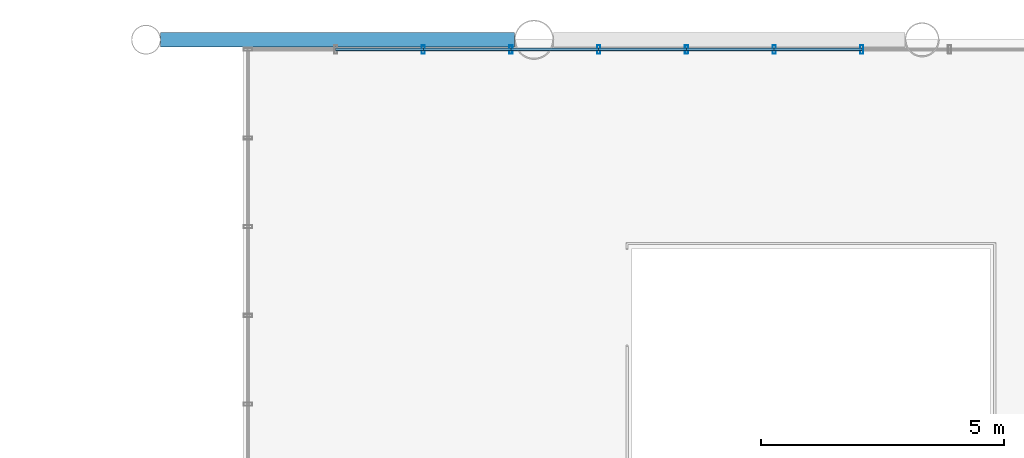
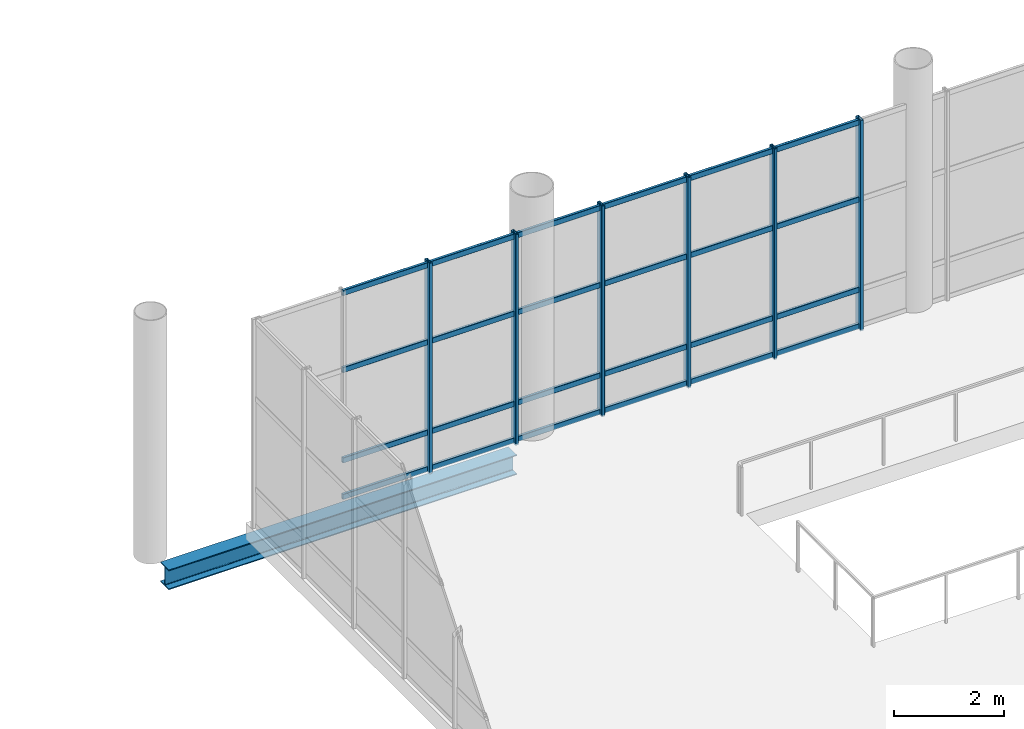
# One storey, part 114 of 176: 30 members, 1 beam, 1 element without a shape of its own.
"""IFC4 building model written with IfcOpenShell, lengths in metres."""

from ifc_helpers import new_model, si_unit, direction, frame, origin, origin_2d, place, context, subcontext, project, spatial, hollow_rectangle, i_section, extrude, material, layer, layer_set, material_profile, profile_set, type_object, element, aggregate, save


model = new_model("IFC4")

# Units and contexts
model_context = context("Model", 3, precision=1e-05, world=origin(), true_north=direction((0.0, 1.0)))
body_context = subcontext(model_context, "Body", "Model", "MODEL_VIEW")
ifc_project = project(units=[si_unit("LENGTHUNIT", "METRE"), si_unit("AREAUNIT", "SQUARE_METRE"), si_unit("VOLUMEUNIT", "CUBIC_METRE"), si_unit("PLANEANGLEUNIT", "RADIAN"), si_unit("MASSUNIT", "GRAM", prefix="KILO")], contexts=[model_context])

# Site, building, storey
site_placement = place(None, origin())
site = spatial("IfcSite", under=ifc_project, at=site_placement, CompositionType="ELEMENT")
building_placement = place(site_placement, origin())
building = spatial("IfcBuilding", under=site, at=building_placement, Name="Khorjan Park Terminus", CompositionType="ELEMENT")
storey_placement = place(building_placement, frame((0.0, 0.0, 6.0)))
storey = spatial("IfcBuildingStorey", under=building, at=storey_placement, Name="L01", CompositionType="ELEMENT", Elevation=6.0)

# Beam
ifc_material_1 = material(Name="Steel S355", Category="steel")
ifc_material_profile_1 = material_profile(ifc_material_1, i_section(OverallWidth=0.3, OverallDepth=0.44, WebThickness=0.0115, FlangeThickness=0.021, FilletRadius=0.027, at=origin_2d()), Name="HEA 450")
ifc_profile_set_1 = profile_set([ifc_material_profile_1], Name="Steel S355")
beam_type = type_object("IfcBeamType", Name="BM-HEA450", PredefinedType="BEAM", material=ifc_profile_set_1)
beam_placement = place(storey_placement, frame((96.3, 154.0, -0.58), z_axis=(1.0, 0.0, 0.0), x_axis=(0.0, 1.0, 0.0)))
element("IfcBeam", 1, at=beam_placement, inside=storey, type_object=beam_type, Name="Primary floor girder SB-A45 (L01)", PredefinedType="BEAM", context=body_context, shape_type="SweptSolid", body=[
    extrude(i_section(OverallWidth=0.3, OverallDepth=0.44, WebThickness=0.0115, FlangeThickness=0.021, FilletRadius=0.027, at=origin_2d()), origin(), (0.0, 0.0, 1.0), 7.2985),
])

# Curtain wall, members
ifc_material_2 = material(Name="Anodized Bronze Aluminium", Category="aluminium")
ifc_layer = layer(ifc_material_2, 0.22)
ifc_layer_set = layer_set([ifc_layer], Name="Anodized Bronze Aluminium")
curtain_wall_type = type_object("IfcCurtainWallType", Name="CW-BRG-D", PredefinedType="NOTDEFINED", material=ifc_layer_set)
curtain_wall_placement = place(storey_placement, origin())
curtain_wall = element("IfcCurtainWall", 2, at=curtain_wall_placement, inside=storey, type_object=curtain_wall_type, Name="Unitized curtain wall CW-D (CW-BRE-N)", PredefinedType="NOTDEFINED")
ifc_material_profile_2 = material_profile(ifc_material_2, hollow_rectangle(XDim=0.065, YDim=0.18, WallThickness=0.004, InnerFilletRadius=0.004, OuterFilletRadius=0.008, at=origin_2d()), Name="ALM 65x180x4")
ifc_profile_set_2 = profile_set([ifc_material_profile_2], Name="Anodized Bronze Aluminium")
member_type_1 = type_object("IfcMemberType", Name="ML-ALM-180", PredefinedType="MULLION", material=ifc_profile_set_2)
member_1_placement = place(storey_placement, frame((110.7583, 153.8, -0.035), z_axis=(0.0, 0.0, 1.0), x_axis=(-1.0, 0.0, 0.0)))
member_1 = element("IfcMember", 3, at=member_1_placement, type_object=member_type_1, Name="Curtain-wall mullion ML-18 (CW-BRE-N-5)", PredefinedType="MULLION", context=body_context, shape_type="SweptSolid", body=[
    extrude(hollow_rectangle(XDim=0.065, YDim=0.18, WallThickness=0.004, InnerFilletRadius=0.004, OuterFilletRadius=0.008, at=origin_2d()), origin(), (0.0, 0.0, 1.0), 4.67),
])
member_2_placement = place(storey_placement, frame((108.95, 153.8, -0.035), z_axis=(0.0, 0.0, 1.0), x_axis=(-1.0, 0.0, 0.0)))
member_2 = element("IfcMember", 4, at=member_2_placement, type_object=member_type_1, Name="Curtain-wall mullion ML-18 (CW-BRE-N-6)", PredefinedType="MULLION", context=body_context, shape_type="SweptSolid", body=[
    extrude(hollow_rectangle(XDim=0.065, YDim=0.18, WallThickness=0.004, InnerFilletRadius=0.004, OuterFilletRadius=0.008, at=origin_2d()), origin(), (0.0, 0.0, 1.0), 4.67),
])
member_3_placement = place(storey_placement, frame((107.1417, 153.8, -0.035), z_axis=(0.0, 0.0, 1.0), x_axis=(-1.0, 0.0, 0.0)))
member_3 = element("IfcMember", 5, at=member_3_placement, type_object=member_type_1, Name="Curtain-wall mullion ML-18 (CW-BRE-N-7)", PredefinedType="MULLION", context=body_context, shape_type="SweptSolid", body=[
    extrude(hollow_rectangle(XDim=0.065, YDim=0.18, WallThickness=0.004, InnerFilletRadius=0.004, OuterFilletRadius=0.008, at=origin_2d()), origin(), (0.0, 0.0, 1.0), 4.67),
])
member_4_placement = place(storey_placement, frame((105.3333, 153.8, -0.035), z_axis=(0.0, 0.0, 1.0), x_axis=(-1.0, 0.0, 0.0)))
member_4 = element("IfcMember", 6, at=member_4_placement, type_object=member_type_1, Name="Curtain-wall mullion ML-18 (CW-BRE-N-8)", PredefinedType="MULLION", context=body_context, shape_type="SweptSolid", body=[
    extrude(hollow_rectangle(XDim=0.065, YDim=0.18, WallThickness=0.004, InnerFilletRadius=0.004, OuterFilletRadius=0.008, at=origin_2d()), origin(), (0.0, 0.0, 1.0), 4.67),
])
member_5_placement = place(storey_placement, frame((103.525, 153.8, -0.035), z_axis=(0.0, 0.0, 1.0), x_axis=(-1.0, 0.0, 0.0)))
member_5 = element("IfcMember", 7, at=member_5_placement, type_object=member_type_1, Name="Curtain-wall mullion ML-18 (CW-BRE-N-9)", PredefinedType="MULLION", context=body_context, shape_type="SweptSolid", body=[
    extrude(hollow_rectangle(XDim=0.065, YDim=0.18, WallThickness=0.004, InnerFilletRadius=0.004, OuterFilletRadius=0.008, at=origin_2d()), origin(), (0.0, 0.0, 1.0), 4.67),
])
member_6_placement = place(storey_placement, frame((101.7167, 153.8, -0.035), z_axis=(0.0, 0.0, 1.0), x_axis=(-1.0, 0.0, 0.0)))
member_6 = element("IfcMember", 8, at=member_6_placement, type_object=member_type_1, Name="Curtain-wall mullion ML-18 (CW-BRE-N-10)", PredefinedType="MULLION", context=body_context, shape_type="SweptSolid", body=[
    extrude(hollow_rectangle(XDim=0.065, YDim=0.18, WallThickness=0.004, InnerFilletRadius=0.004, OuterFilletRadius=0.008, at=origin_2d()), origin(), (0.0, 0.0, 1.0), 4.67),
])
ifc_material_profile_3 = material_profile(ifc_material_2, hollow_rectangle(XDim=0.06, YDim=0.12, WallThickness=0.004, InnerFilletRadius=0.004, OuterFilletRadius=0.008, at=origin_2d()), Name="ALT 60x120x4")
ifc_profile_set_3 = profile_set([ifc_material_profile_3], Name="Anodized Bronze Aluminium")
member_type_2 = type_object("IfcMemberType", Name="TR-ALT-120", PredefinedType="USERDEFINED", material=ifc_profile_set_3)
member_7_placement = place(storey_placement, frame((110.7583, 153.8, 0.04), z_axis=(-1.0, 0.0, 0.0), x_axis=(0.0, -1.0, 0.0)))
member_7 = element("IfcMember", 9, at=member_7_placement, type_object=member_type_2, Name="Curtain-wall transom TR-12 (CW-BRE-N-5-1)", ObjectType="TRANSOM", PredefinedType="USERDEFINED", context=body_context, shape_type="SweptSolid", body=[
    extrude(hollow_rectangle(XDim=0.06, YDim=0.12, WallThickness=0.004, InnerFilletRadius=0.004, OuterFilletRadius=0.008, at=origin_2d()), origin(), (0.0, 0.0, 1.0), 1.8083),
])
member_8_placement = place(storey_placement, frame((110.7583, 153.8, 0.85), z_axis=(-1.0, 0.0, 0.0), x_axis=(0.0, -1.0, 0.0)))
member_8 = element("IfcMember", 10, at=member_8_placement, type_object=member_type_2, Name="Curtain-wall transom TR-12 (CW-BRE-N-5-2)", ObjectType="TRANSOM", PredefinedType="USERDEFINED", context=body_context, shape_type="SweptSolid", body=[
    extrude(hollow_rectangle(XDim=0.06, YDim=0.12, WallThickness=0.004, InnerFilletRadius=0.004, OuterFilletRadius=0.008, at=origin_2d()), origin(), (0.0, 0.0, 1.0), 1.8083),
])
member_9_placement = place(storey_placement, frame((110.7583, 153.8, 2.852), z_axis=(-1.0, 0.0, 0.0), x_axis=(0.0, -1.0, 0.0)))
member_9 = element("IfcMember", 11, at=member_9_placement, type_object=member_type_2, Name="Curtain-wall transom TR-12 (CW-BRE-N-5-3)", ObjectType="TRANSOM", PredefinedType="USERDEFINED", context=body_context, shape_type="SweptSolid", body=[
    extrude(hollow_rectangle(XDim=0.06, YDim=0.12, WallThickness=0.004, InnerFilletRadius=0.004, OuterFilletRadius=0.008, at=origin_2d()), origin(), (0.0, 0.0, 1.0), 1.8083),
])
member_10_placement = place(storey_placement, frame((110.7583, 153.8, 4.56), z_axis=(-1.0, 0.0, 0.0), x_axis=(0.0, -1.0, 0.0)))
member_10 = element("IfcMember", 12, at=member_10_placement, type_object=member_type_2, Name="Curtain-wall transom TR-12 (CW-BRE-N-5-4)", ObjectType="TRANSOM", PredefinedType="USERDEFINED", context=body_context, shape_type="SweptSolid", body=[
    extrude(hollow_rectangle(XDim=0.06, YDim=0.12, WallThickness=0.004, InnerFilletRadius=0.004, OuterFilletRadius=0.008, at=origin_2d()), origin(), (0.0, 0.0, 1.0), 1.8083),
])
member_11_placement = place(storey_placement, frame((108.95, 153.8, 0.04), z_axis=(-1.0, 0.0, 0.0), x_axis=(0.0, -1.0, 0.0)))
member_11 = element("IfcMember", 13, at=member_11_placement, type_object=member_type_2, Name="Curtain-wall transom TR-12 (CW-BRE-N-6-1)", ObjectType="TRANSOM", PredefinedType="USERDEFINED", context=body_context, shape_type="SweptSolid", body=[
    extrude(hollow_rectangle(XDim=0.06, YDim=0.12, WallThickness=0.004, InnerFilletRadius=0.004, OuterFilletRadius=0.008, at=origin_2d()), origin(), (0.0, 0.0, 1.0), 1.8083),
])
member_12_placement = place(storey_placement, frame((108.95, 153.8, 0.85), z_axis=(-1.0, 0.0, 0.0), x_axis=(0.0, -1.0, 0.0)))
member_12 = element("IfcMember", 14, at=member_12_placement, type_object=member_type_2, Name="Curtain-wall transom TR-12 (CW-BRE-N-6-2)", ObjectType="TRANSOM", PredefinedType="USERDEFINED", context=body_context, shape_type="SweptSolid", body=[
    extrude(hollow_rectangle(XDim=0.06, YDim=0.12, WallThickness=0.004, InnerFilletRadius=0.004, OuterFilletRadius=0.008, at=origin_2d()), origin(), (0.0, 0.0, 1.0), 1.8083),
])
member_13_placement = place(storey_placement, frame((108.95, 153.8, 2.852), z_axis=(-1.0, 0.0, 0.0), x_axis=(0.0, -1.0, 0.0)))
member_13 = element("IfcMember", 15, at=member_13_placement, type_object=member_type_2, Name="Curtain-wall transom TR-12 (CW-BRE-N-6-3)", ObjectType="TRANSOM", PredefinedType="USERDEFINED", context=body_context, shape_type="SweptSolid", body=[
    extrude(hollow_rectangle(XDim=0.06, YDim=0.12, WallThickness=0.004, InnerFilletRadius=0.004, OuterFilletRadius=0.008, at=origin_2d()), origin(), (0.0, 0.0, 1.0), 1.8083),
])
member_14_placement = place(storey_placement, frame((108.95, 153.8, 4.56), z_axis=(-1.0, 0.0, 0.0), x_axis=(0.0, -1.0, 0.0)))
member_14 = element("IfcMember", 16, at=member_14_placement, type_object=member_type_2, Name="Curtain-wall transom TR-12 (CW-BRE-N-6-4)", ObjectType="TRANSOM", PredefinedType="USERDEFINED", context=body_context, shape_type="SweptSolid", body=[
    extrude(hollow_rectangle(XDim=0.06, YDim=0.12, WallThickness=0.004, InnerFilletRadius=0.004, OuterFilletRadius=0.008, at=origin_2d()), origin(), (0.0, 0.0, 1.0), 1.8083),
])
member_15_placement = place(storey_placement, frame((107.1417, 153.8, 0.04), z_axis=(-1.0, 0.0, 0.0), x_axis=(0.0, -1.0, 0.0)))
member_15 = element("IfcMember", 17, at=member_15_placement, type_object=member_type_2, Name="Curtain-wall transom TR-12 (CW-BRE-N-7-1)", ObjectType="TRANSOM", PredefinedType="USERDEFINED", context=body_context, shape_type="SweptSolid", body=[
    extrude(hollow_rectangle(XDim=0.06, YDim=0.12, WallThickness=0.004, InnerFilletRadius=0.004, OuterFilletRadius=0.008, at=origin_2d()), origin(), (0.0, 0.0, 1.0), 1.8084),
])
member_16_placement = place(storey_placement, frame((107.1417, 153.8, 0.85), z_axis=(-1.0, 0.0, 0.0), x_axis=(0.0, -1.0, 0.0)))
member_16 = element("IfcMember", 18, at=member_16_placement, type_object=member_type_2, Name="Curtain-wall transom TR-12 (CW-BRE-N-7-2)", ObjectType="TRANSOM", PredefinedType="USERDEFINED", context=body_context, shape_type="SweptSolid", body=[
    extrude(hollow_rectangle(XDim=0.06, YDim=0.12, WallThickness=0.004, InnerFilletRadius=0.004, OuterFilletRadius=0.008, at=origin_2d()), origin(), (0.0, 0.0, 1.0), 1.8084),
])
member_17_placement = place(storey_placement, frame((107.1417, 153.8, 2.852), z_axis=(-1.0, 0.0, 0.0), x_axis=(0.0, -1.0, 0.0)))
member_17 = element("IfcMember", 19, at=member_17_placement, type_object=member_type_2, Name="Curtain-wall transom TR-12 (CW-BRE-N-7-3)", ObjectType="TRANSOM", PredefinedType="USERDEFINED", context=body_context, shape_type="SweptSolid", body=[
    extrude(hollow_rectangle(XDim=0.06, YDim=0.12, WallThickness=0.004, InnerFilletRadius=0.004, OuterFilletRadius=0.008, at=origin_2d()), origin(), (0.0, 0.0, 1.0), 1.8084),
])
member_18_placement = place(storey_placement, frame((107.1417, 153.8, 4.56), z_axis=(-1.0, 0.0, 0.0), x_axis=(0.0, -1.0, 0.0)))
member_18 = element("IfcMember", 20, at=member_18_placement, type_object=member_type_2, Name="Curtain-wall transom TR-12 (CW-BRE-N-7-4)", ObjectType="TRANSOM", PredefinedType="USERDEFINED", context=body_context, shape_type="SweptSolid", body=[
    extrude(hollow_rectangle(XDim=0.06, YDim=0.12, WallThickness=0.004, InnerFilletRadius=0.004, OuterFilletRadius=0.008, at=origin_2d()), origin(), (0.0, 0.0, 1.0), 1.8084),
])
member_19_placement = place(storey_placement, frame((105.3333, 153.8, 0.04), z_axis=(-1.0, 0.0, 0.0), x_axis=(0.0, -1.0, 0.0)))
member_19 = element("IfcMember", 21, at=member_19_placement, type_object=member_type_2, Name="Curtain-wall transom TR-12 (CW-BRE-N-8-1)", ObjectType="TRANSOM", PredefinedType="USERDEFINED", context=body_context, shape_type="SweptSolid", body=[
    extrude(hollow_rectangle(XDim=0.06, YDim=0.12, WallThickness=0.004, InnerFilletRadius=0.004, OuterFilletRadius=0.008, at=origin_2d()), origin(), (0.0, 0.0, 1.0), 1.8083),
])
member_20_placement = place(storey_placement, frame((105.3333, 153.8, 0.85), z_axis=(-1.0, 0.0, 0.0), x_axis=(0.0, -1.0, 0.0)))
member_20 = element("IfcMember", 22, at=member_20_placement, type_object=member_type_2, Name="Curtain-wall transom TR-12 (CW-BRE-N-8-2)", ObjectType="TRANSOM", PredefinedType="USERDEFINED", context=body_context, shape_type="SweptSolid", body=[
    extrude(hollow_rectangle(XDim=0.06, YDim=0.12, WallThickness=0.004, InnerFilletRadius=0.004, OuterFilletRadius=0.008, at=origin_2d()), origin(), (0.0, 0.0, 1.0), 1.8083),
])
member_21_placement = place(storey_placement, frame((105.3333, 153.8, 2.852), z_axis=(-1.0, 0.0, 0.0), x_axis=(0.0, -1.0, 0.0)))
member_21 = element("IfcMember", 23, at=member_21_placement, type_object=member_type_2, Name="Curtain-wall transom TR-12 (CW-BRE-N-8-3)", ObjectType="TRANSOM", PredefinedType="USERDEFINED", context=body_context, shape_type="SweptSolid", body=[
    extrude(hollow_rectangle(XDim=0.06, YDim=0.12, WallThickness=0.004, InnerFilletRadius=0.004, OuterFilletRadius=0.008, at=origin_2d()), origin(), (0.0, 0.0, 1.0), 1.8083),
])
member_22_placement = place(storey_placement, frame((105.3333, 153.8, 4.56), z_axis=(-1.0, 0.0, 0.0), x_axis=(0.0, -1.0, 0.0)))
member_22 = element("IfcMember", 24, at=member_22_placement, type_object=member_type_2, Name="Curtain-wall transom TR-12 (CW-BRE-N-8-4)", ObjectType="TRANSOM", PredefinedType="USERDEFINED", context=body_context, shape_type="SweptSolid", body=[
    extrude(hollow_rectangle(XDim=0.06, YDim=0.12, WallThickness=0.004, InnerFilletRadius=0.004, OuterFilletRadius=0.008, at=origin_2d()), origin(), (0.0, 0.0, 1.0), 1.8083),
])
member_23_placement = place(storey_placement, frame((103.525, 153.8, 0.04), z_axis=(-1.0, 0.0, 0.0), x_axis=(0.0, -1.0, 0.0)))
member_23 = element("IfcMember", 25, at=member_23_placement, type_object=member_type_2, Name="Curtain-wall transom TR-12 (CW-BRE-N-9-1)", ObjectType="TRANSOM", PredefinedType="USERDEFINED", context=body_context, shape_type="SweptSolid", body=[
    extrude(hollow_rectangle(XDim=0.06, YDim=0.12, WallThickness=0.004, InnerFilletRadius=0.004, OuterFilletRadius=0.008, at=origin_2d()), origin(), (0.0, 0.0, 1.0), 1.8083),
])
member_24_placement = place(storey_placement, frame((103.525, 153.8, 0.85), z_axis=(-1.0, 0.0, 0.0), x_axis=(0.0, -1.0, 0.0)))
member_24 = element("IfcMember", 26, at=member_24_placement, type_object=member_type_2, Name="Curtain-wall transom TR-12 (CW-BRE-N-9-2)", ObjectType="TRANSOM", PredefinedType="USERDEFINED", context=body_context, shape_type="SweptSolid", body=[
    extrude(hollow_rectangle(XDim=0.06, YDim=0.12, WallThickness=0.004, InnerFilletRadius=0.004, OuterFilletRadius=0.008, at=origin_2d()), origin(), (0.0, 0.0, 1.0), 1.8083),
])
member_25_placement = place(storey_placement, frame((103.525, 153.8, 2.852), z_axis=(-1.0, 0.0, 0.0), x_axis=(0.0, -1.0, 0.0)))
member_25 = element("IfcMember", 27, at=member_25_placement, type_object=member_type_2, Name="Curtain-wall transom TR-12 (CW-BRE-N-9-3)", ObjectType="TRANSOM", PredefinedType="USERDEFINED", context=body_context, shape_type="SweptSolid", body=[
    extrude(hollow_rectangle(XDim=0.06, YDim=0.12, WallThickness=0.004, InnerFilletRadius=0.004, OuterFilletRadius=0.008, at=origin_2d()), origin(), (0.0, 0.0, 1.0), 1.8083),
])
member_26_placement = place(storey_placement, frame((103.525, 153.8, 4.56), z_axis=(-1.0, 0.0, 0.0), x_axis=(0.0, -1.0, 0.0)))
member_26 = element("IfcMember", 28, at=member_26_placement, type_object=member_type_2, Name="Curtain-wall transom TR-12 (CW-BRE-N-9-4)", ObjectType="TRANSOM", PredefinedType="USERDEFINED", context=body_context, shape_type="SweptSolid", body=[
    extrude(hollow_rectangle(XDim=0.06, YDim=0.12, WallThickness=0.004, InnerFilletRadius=0.004, OuterFilletRadius=0.008, at=origin_2d()), origin(), (0.0, 0.0, 1.0), 1.8083),
])
member_27_placement = place(storey_placement, frame((101.7167, 153.8, 0.04), z_axis=(-1.0, 0.0, 0.0), x_axis=(0.0, -1.0, 0.0)))
member_27 = element("IfcMember", 29, at=member_27_placement, type_object=member_type_2, Name="Curtain-wall transom TR-12 (CW-BRE-N-10-1)", ObjectType="TRANSOM", PredefinedType="USERDEFINED", context=body_context, shape_type="SweptSolid", body=[
    extrude(hollow_rectangle(XDim=0.06, YDim=0.12, WallThickness=0.004, InnerFilletRadius=0.004, OuterFilletRadius=0.008, at=origin_2d()), origin(), (0.0, 0.0, 1.0), 1.8084),
])
member_28_placement = place(storey_placement, frame((101.7167, 153.8, 0.85), z_axis=(-1.0, 0.0, 0.0), x_axis=(0.0, -1.0, 0.0)))
member_28 = element("IfcMember", 30, at=member_28_placement, type_object=member_type_2, Name="Curtain-wall transom TR-12 (CW-BRE-N-10-2)", ObjectType="TRANSOM", PredefinedType="USERDEFINED", context=body_context, shape_type="SweptSolid", body=[
    extrude(hollow_rectangle(XDim=0.06, YDim=0.12, WallThickness=0.004, InnerFilletRadius=0.004, OuterFilletRadius=0.008, at=origin_2d()), origin(), (0.0, 0.0, 1.0), 1.8084),
])
member_29_placement = place(storey_placement, frame((101.7167, 153.8, 2.852), z_axis=(-1.0, 0.0, 0.0), x_axis=(0.0, -1.0, 0.0)))
member_29 = element("IfcMember", 31, at=member_29_placement, type_object=member_type_2, Name="Curtain-wall transom TR-12 (CW-BRE-N-10-3)", ObjectType="TRANSOM", PredefinedType="USERDEFINED", context=body_context, shape_type="SweptSolid", body=[
    extrude(hollow_rectangle(XDim=0.06, YDim=0.12, WallThickness=0.004, InnerFilletRadius=0.004, OuterFilletRadius=0.008, at=origin_2d()), origin(), (0.0, 0.0, 1.0), 1.8084),
])
member_30_placement = place(storey_placement, frame((101.7167, 153.8, 4.56), z_axis=(-1.0, 0.0, 0.0), x_axis=(0.0, -1.0, 0.0)))
member_30 = element("IfcMember", 32, at=member_30_placement, type_object=member_type_2, Name="Curtain-wall transom TR-12 (CW-BRE-N-10-4)", ObjectType="TRANSOM", PredefinedType="USERDEFINED", context=body_context, shape_type="SweptSolid", body=[
    extrude(hollow_rectangle(XDim=0.06, YDim=0.12, WallThickness=0.004, InnerFilletRadius=0.004, OuterFilletRadius=0.008, at=origin_2d()), origin(), (0.0, 0.0, 1.0), 1.8084),
])
aggregate(curtain_wall, [member_1, member_2, member_3, member_4, member_5, member_6, member_7, member_8, member_9, member_10, member_11, member_12, member_13, member_14, member_15, member_16, member_17, member_18, member_19, member_20, member_21, member_22, member_23, member_24, member_25, member_26, member_27, member_28, member_29, member_30])

save(model, "model.ifc")
